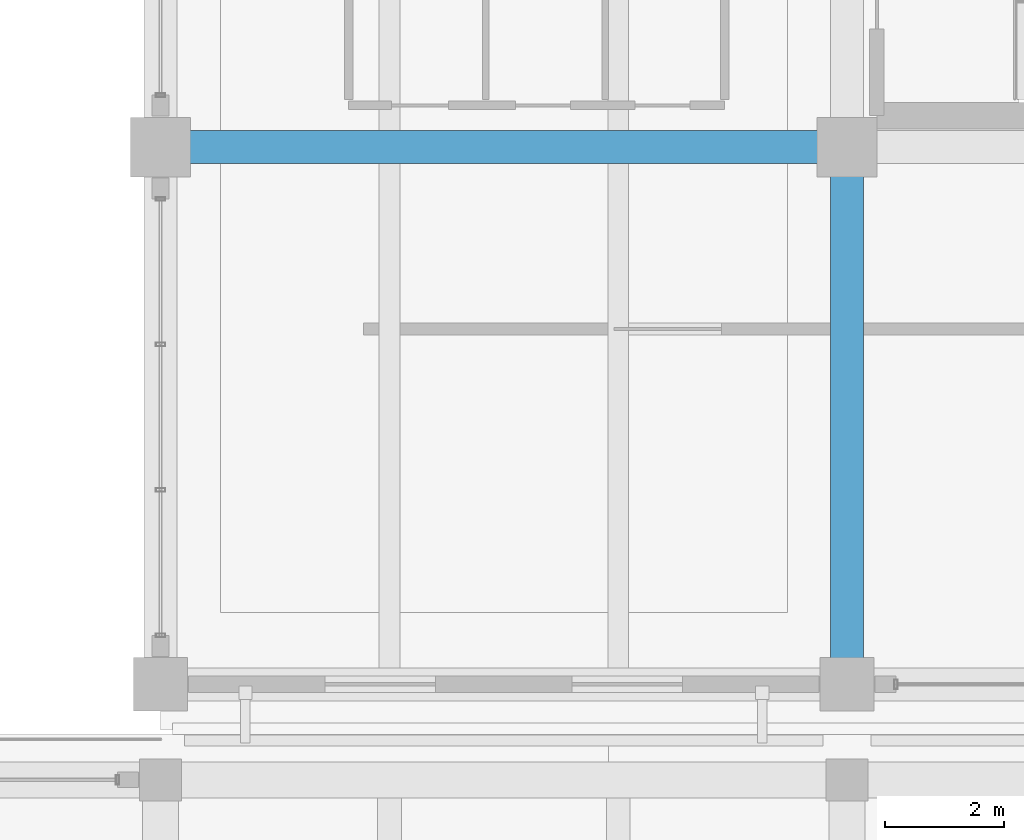
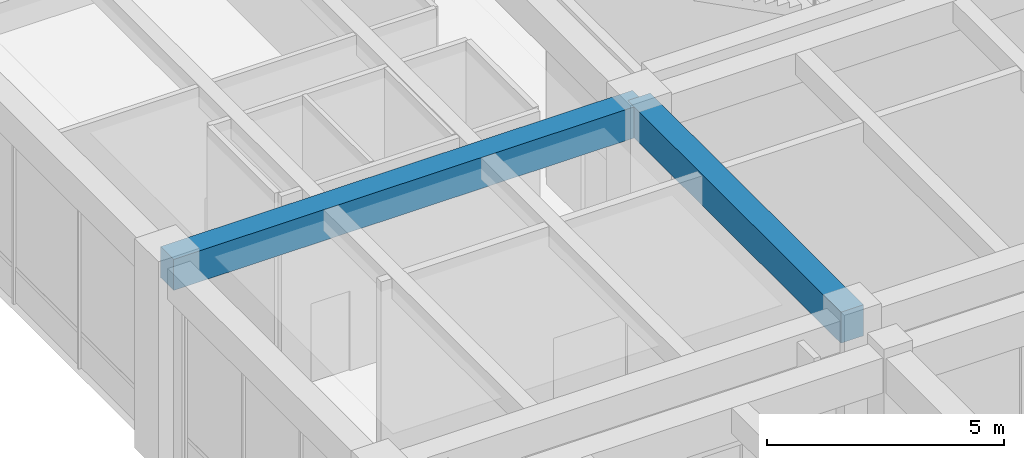
# One storey, part 77 of 148: 2 beams.
"""IFC4 building model written with IfcOpenShell, lengths in metres."""

from ifc_helpers import new_model, si_unit, direction, frame, origin, origin_2d, place, context, subcontext, project, spatial, rectangle, extrude, material, material_profile, profile_set, type_object, element, save


model = new_model("IFC4")

# Units and contexts
model_context = context("Model", 3, precision=1e-05, world=origin(), true_north=direction((0.0, 1.0)))
body_context = subcontext(model_context, "Body", "Model", "MODEL_VIEW")
ifc_project = project(units=[si_unit("LENGTHUNIT", "METRE"), si_unit("AREAUNIT", "SQUARE_METRE"), si_unit("VOLUMEUNIT", "CUBIC_METRE"), si_unit("PLANEANGLEUNIT", "RADIAN"), si_unit("MASSUNIT", "GRAM", prefix="KILO")], contexts=[model_context])

# Site, building, storey
site_placement = place(None, origin())
site = spatial("IfcSite", under=ifc_project, at=site_placement, CompositionType="ELEMENT")
building_placement = place(site_placement, origin())
building = spatial("IfcBuilding", under=site, at=building_placement, Name="Ologun Quay Terminus", CompositionType="ELEMENT")
storey_placement = place(building_placement, frame((0.0, 0.0, 8.39990234375)))
storey = spatial("IfcBuildingStorey", under=building, at=storey_placement, Name="L02", CompositionType="ELEMENT", Elevation=8.39990234375)

# Beams
ifc_material = material(Name="Concrete C40/50", Category="concrete")
ifc_material_profile = material_profile(ifc_material, rectangle(XDim=0.550048828125, YDim=0.800048828125, at=origin_2d()), Name="RC 550x800")
ifc_profile_set = profile_set([ifc_material_profile], Name="Concrete C40/50")
beam_type = type_object("IfcBeamType", Name="Courtyard Wing Primary Girder 550x800", PredefinedType="BEAM", material=ifc_profile_set)
beam_1_placement = place(storey_placement, frame((115.0, 94.800048828125, 4.75), z_axis=(1.0, 0.0, 0.0), x_axis=(0.0, 1.0, 0.0)))
element("IfcBeam", 1, at=beam_1_placement, inside=storey, type_object=beam_type, Name="B4 Beam 11/H L02", PredefinedType="BEAM", context=body_context, shape_type="SweptSolid", body=[
    extrude(rectangle(XDim=0.550048828125, YDim=0.800048828125, at=origin_2d()), origin(), (0.0, 0.0, 1.0), 11.5),
])
beam_2_placement = place(storey_placement, frame((126.5, 85.800048828125, 4.75), z_axis=(0.0, 1.0, 0.0), x_axis=(-1.0, 0.0, 0.0)))
element("IfcBeam", 2, at=beam_2_placement, inside=storey, type_object=beam_type, Name="B4 Beam 12/G2 L02", PredefinedType="BEAM", context=body_context, shape_type="SweptSolid", body=[
    extrude(rectangle(XDim=0.550048828125, YDim=0.800048828125, at=origin_2d()), origin(), (0.0, 0.0, 1.0), 9.0),
])

save(model, "model.ifc")
